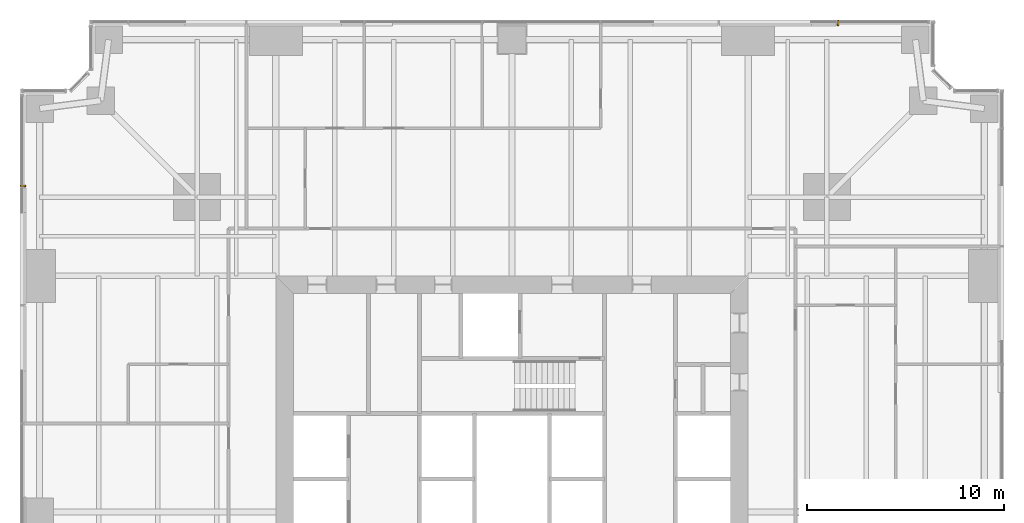
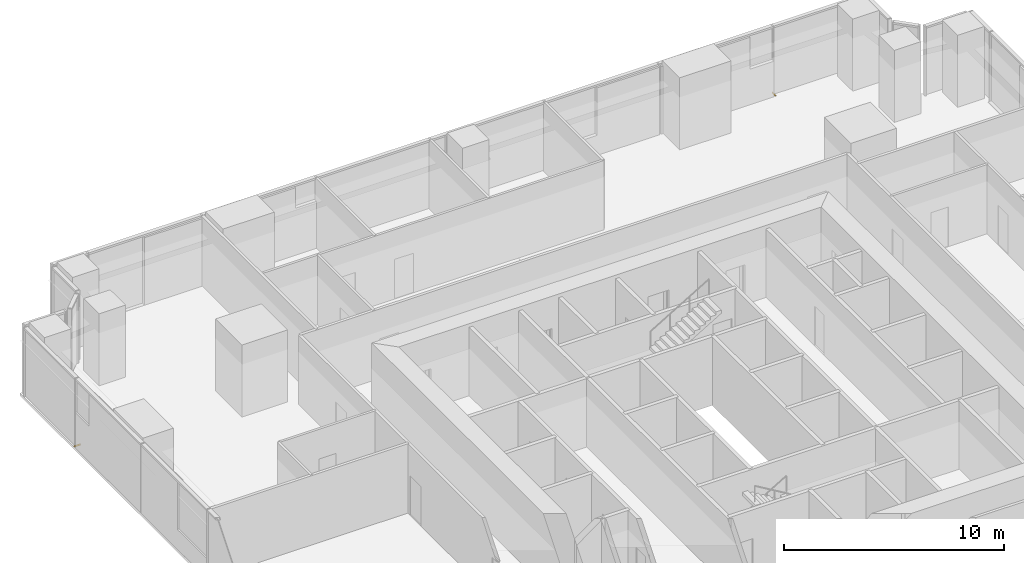
# One storey, part 16 of 16: 2 coverings.
"""IFC4 building model written with IfcOpenShell, lengths in metres."""

from ifc_helpers import new_model, si_unit, direction, frame, origin, place, context, subcontext, project, spatial, polyline, outline, extrude, material, layer, layer_set, type_object, element, save


model = new_model("IFC4")

# Units and contexts
model_context = context("Model", 3, precision=1e-05, world=origin(), true_north=direction((0.0, 1.0)))
body_context = subcontext(model_context, "Body", "Model", "MODEL_VIEW")
ifc_project = project(units=[si_unit("LENGTHUNIT", "METRE"), si_unit("AREAUNIT", "SQUARE_METRE"), si_unit("VOLUMEUNIT", "CUBIC_METRE"), si_unit("PLANEANGLEUNIT", "RADIAN"), si_unit("MASSUNIT", "GRAM", prefix="KILO")], contexts=[model_context])

# Site, building, storey
site_placement = place(None, origin())
site = spatial("IfcSite", under=ifc_project, at=site_placement, CompositionType="ELEMENT")
building_placement = place(site_placement, origin())
building = spatial("IfcBuilding", under=site, at=building_placement, Name="Fenwick Lantern Interchange", CompositionType="ELEMENT")
storey_placement = place(building_placement, frame((0.0, 0.0, 75.0)))
storey = spatial("IfcBuildingStorey", under=building, at=storey_placement, Name="L17", CompositionType="ELEMENT", Elevation=75.0)

# Coverings
ifc_material = material(Name="Granite cladding, warm grey flamed finish, on aluminium carrier frame", Category="masonry")
ifc_layer = layer(ifc_material, 0.300048828125)
ifc_layer_set = layer_set([ifc_layer], Name="BRACE CASING PANEL 300")
covering_type = type_object("IfcCoveringType", Name="BRACE CASING PANEL 300", PredefinedType="CLADDING", material=ifc_layer_set)
for number, where, z_axis, x_axis, name in (
    (1, (46.39990234375, 49.89990234375, 0.0), (0.0, 0.0, 1.0), (-1.0, 0.0, 0.0), "Brace casing 09 bay 00a"),
    (2, (0.10009765625, 46.39990234375, 0.0), (0.0, 0.0, 1.0), (0.0, -1.0, 0.0), "Brace casing 13 bay 00a"),
):
    element("IfcCovering", number, at=place(storey_placement, frame(where, z_axis=z_axis, x_axis=x_axis)), inside=storey, type_object=covering_type, Name=name, PredefinedType="CLADDING", context=body_context, shape_type="SweptSolid", body=[
        extrude(outline(polyline([(4.7900390625, 0.0), (4.867431640625, 0.0), (4.867431640625, 0.109375), (4.7900390625, 0.0)])), frame((0.0, 0.2001953125, 0.0), z_axis=(0.0, -1.0, 0.0), x_axis=(1.0, 0.0, 0.0)), (0.0, 0.0, 1.0), 0.300048828125),
    ])

save(model, "model.ifc")
